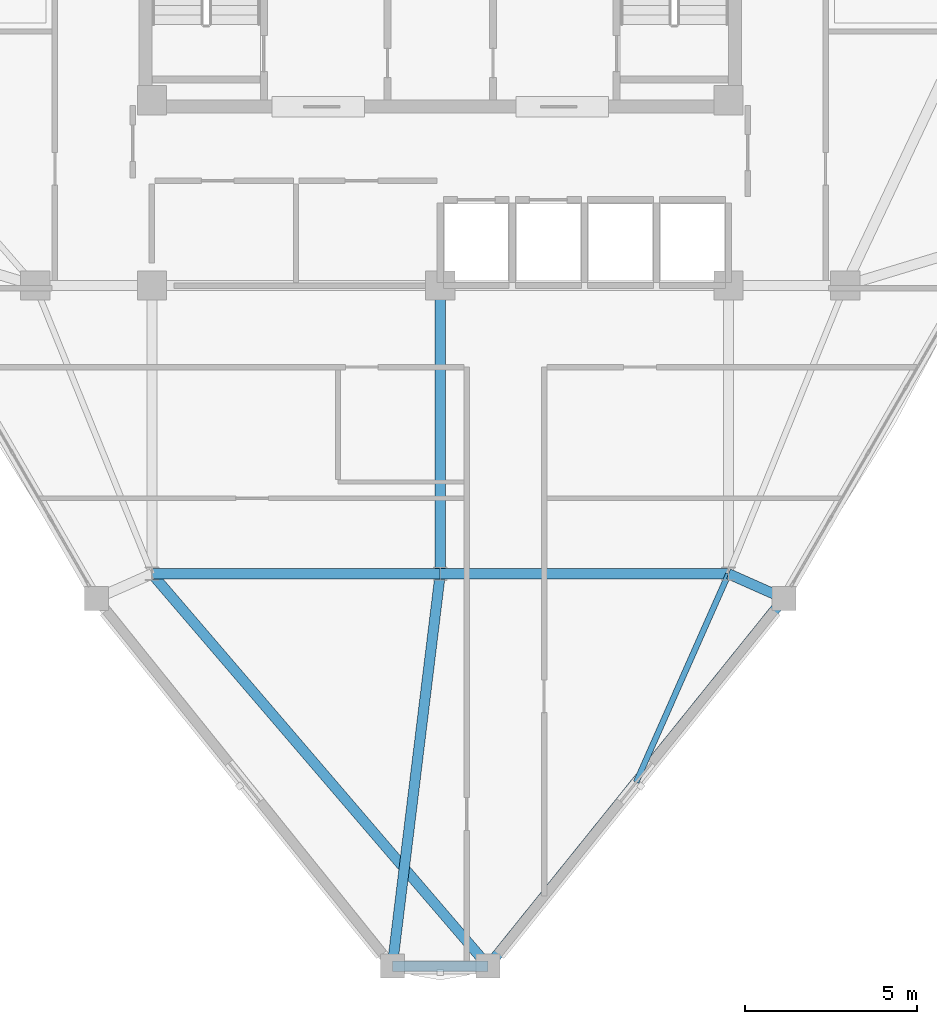
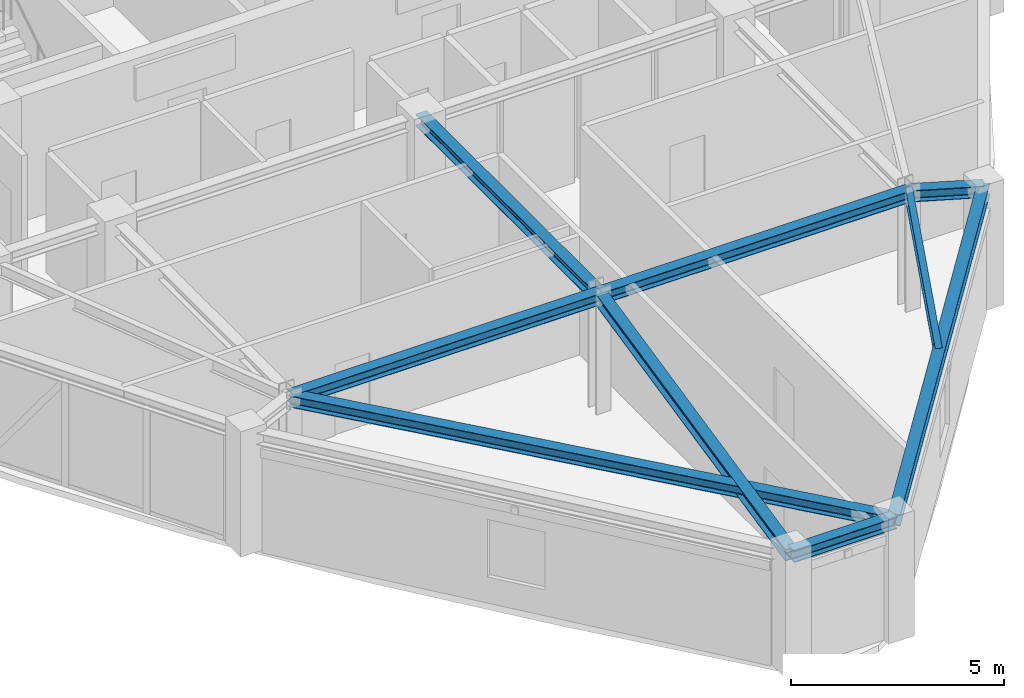
# One storey, part 3 of 15: 9 beams.
"""IFC4 building model written with IfcOpenShell, lengths in metres."""

from ifc_helpers import new_model, si_unit, derived_unit, direction, frame, origin, origin_2d, place, context, subcontext, project, spatial, i_section, extrude, source, transform, mapped, material, material_profile, profile_set, type_object, element, save


model = new_model("IFC4")

# Units and contexts
model_context = context("Model", 3, precision=1e-05, world=origin(), true_north=direction((0.0, 1.0)))
body_context = subcontext(model_context, "Body", "Model", "MODEL_VIEW")
ifc_project = project(units=[si_unit("LENGTHUNIT", "METRE"), si_unit("AREAUNIT", "SQUARE_METRE"), si_unit("VOLUMEUNIT", "CUBIC_METRE"), si_unit("PLANEANGLEUNIT", "RADIAN"), si_unit("MASSUNIT", "GRAM", prefix="KILO"), derived_unit("THERMALTRANSMITTANCEUNIT", [(si_unit("POWERUNIT", "WATT"), 1), (si_unit("LENGTHUNIT", "METRE"), -2), (si_unit("THERMODYNAMICTEMPERATUREUNIT", "KELVIN"), -1)])], contexts=[model_context])

# Site, building, storey
site_placement = place(None, origin())
site = spatial("IfcSite", under=ifc_project, at=site_placement, CompositionType="ELEMENT")
building_placement = place(site_placement, origin())
building = spatial("IfcBuilding", under=site, at=building_placement, Name="Korsvarv Bourse and Concert Hall", CompositionType="ELEMENT")
storey_placement = place(building_placement, frame((0.0, 0.0, 246.60009765625)))
storey = spatial("IfcBuildingStorey", under=building, at=storey_placement, Name="L64", CompositionType="ELEMENT", Elevation=246.60009765625)

# Beams
ifc_material = material(Name="Steel S355", Category="steel")
ifc_material_profile_1 = material_profile(ifc_material, i_section(OverallWidth=0.300048828125, OverallDepth=0.330078125, WebThickness=0.009521484375, FlangeThickness=0.0166015625, FilletRadius=0.02099609375, at=origin_2d()), Name="HEA 340")
ifc_profile_set_1 = profile_set([ifc_material_profile_1], Name="Steel S355")
beam_type_1 = type_object("IfcBeamType", Name="BM-HEA340", PredefinedType="BEAM", material=ifc_profile_set_1)
shared_shape_1 = source(origin(), body_context, "Body", "SweptSolid", [
    extrude(i_section(OverallWidth=0.300048828125, OverallDepth=0.330078125, WebThickness=0.009521484375, FlangeThickness=0.0166015625, FilletRadius=0.02099609375, at=origin_2d()), origin(), (0.0, 0.0, 1.0), 8.39990234375),
])
for number, where, z_axis, x_axis, name in (
    (1, (27.60009765625, 24.0, 3.244873046875), (1.0, 0.0, 0.0), (0.0, 1.0, 0.0), "L64 beam B-12"),
    (2, (36.0, 24.0, 3.244873046875), (1.0, 0.0, 0.0), (0.0, 1.0, 0.0), "L64 beam B-12"),
    (3, (36.0, 24.0, 3.244873046875), (0.0, 1.0, 0.0), (-1.0, 0.0, 0.0), "L64 beam B-12"),
):
    element("IfcBeam", number, at=place(storey_placement, frame(where, z_axis=z_axis, x_axis=x_axis)), inside=storey, type_object=beam_type_1, Name=name, PredefinedType="BEAM", context=body_context, shape_type="MappedRepresentation", body=[
        mapped(shared_shape_1, transform((0.0, 0.0, 0.0), scale=1.0)),
    ])
shared_shape_2 = source(origin(), body_context, "Body", "SweptSolid", [
    extrude(i_section(OverallWidth=0.300048828125, OverallDepth=0.330078125, WebThickness=0.009521484375, FlangeThickness=0.0166015625, FilletRadius=0.02099609375, at=origin_2d()), origin(), (0.0, 0.0, 1.0), 2.794921875),
])
beam_1_placement = place(storey_placement, frame((34.6025390625, 12.572265625, 3.244873046875), z_axis=(1.0, 0.0, 0.0), x_axis=(0.0, 1.0, 0.0)))
element("IfcBeam", 4, at=beam_1_placement, inside=storey, type_object=beam_type_1, Name="L64 beam B-12", PredefinedType="BEAM", context=body_context, shape_type="MappedRepresentation", body=[
    mapped(shared_shape_2, transform((0.0, 0.0, 0.0), scale=1.0)),
])
shared_shape_3 = source(origin(), body_context, "Body", "SweptSolid", [
    extrude(i_section(OverallWidth=0.300048828125, OverallDepth=0.330078125, WebThickness=0.009521484375, FlangeThickness=0.0166015625, FilletRadius=0.02099609375, at=origin_2d()), origin(), (0.0, 0.0, 1.0), 13.74853515625),
])
beam_2_placement = place(storey_placement, frame((37.3974609375, 12.572265625, 3.244873046875), z_axis=(0.626910047977, 0.77909164528, 0.0), x_axis=(-0.77909164528, 0.626910047977, 0.0)))
element("IfcBeam", 5, at=beam_2_placement, inside=storey, type_object=beam_type_1, Name="L64 beam B-12", PredefinedType="BEAM", context=body_context, shape_type="MappedRepresentation", body=[
    mapped(shared_shape_3, transform((0.0, 0.0, 0.0), scale=1.0)),
])
shared_shape_4 = source(origin(), body_context, "Body", "SweptSolid", [
    extrude(i_section(OverallWidth=0.300048828125, OverallDepth=0.330078125, WebThickness=0.009521484375, FlangeThickness=0.0166015625, FilletRadius=0.02099609375, at=origin_2d()), origin(), (0.0, 0.0, 1.0), 1.768310546875),
])
beam_3_placement = place(storey_placement, frame((46.0166015625, 23.28369140625, 3.244873046875), z_axis=(-0.914277809645, 0.405087751963, 0.0), x_axis=(-0.405087751963, -0.914277809645, 0.0)))
element("IfcBeam", 6, at=beam_3_placement, inside=storey, type_object=beam_type_1, Name="L64 beam B-12", PredefinedType="BEAM", context=body_context, shape_type="MappedRepresentation", body=[
    mapped(shared_shape_4, transform((0.0, 0.0, 0.0), scale=1.0)),
])
shared_shape_5 = source(origin(), body_context, "Body", "SweptSolid", [
    extrude(i_section(OverallWidth=0.300048828125, OverallDepth=0.330078125, WebThickness=0.009521484375, FlangeThickness=0.0166015625, FilletRadius=0.02099609375, at=origin_2d()), origin(), (0.0, 0.0, 1.0), 11.512939453125),
])
beam_4_placement = place(storey_placement, frame((34.6025390625, 12.572265625, 3.244873046875), z_axis=(0.121382575377, 0.992605798086, 0.0), x_axis=(-0.992605798086, 0.121382575377, 0.0)))
element("IfcBeam", 7, at=beam_4_placement, inside=storey, type_object=beam_type_1, Name="L64 beam B-12", PredefinedType="BEAM", context=body_context, shape_type="MappedRepresentation", body=[
    mapped(shared_shape_5, transform((0.0, 0.0, 0.0), scale=1.0)),
])
shared_shape_6 = source(origin(), body_context, "Body", "SweptSolid", [
    extrude(i_section(OverallWidth=0.300048828125, OverallDepth=0.330078125, WebThickness=0.009521484375, FlangeThickness=0.0166015625, FilletRadius=0.02099609375, at=origin_2d()), origin(), (0.0, 0.0, 1.0), 15.052734375),
])
beam_5_placement = place(storey_placement, frame((37.3974609375, 12.572265625, 3.244873046875), z_axis=(-0.650874182618, 0.75918561525, 0.0), x_axis=(-0.75918561525, -0.650874182618, 0.0)))
element("IfcBeam", 8, at=beam_5_placement, inside=storey, type_object=beam_type_1, Name="L64 beam B-12", PredefinedType="BEAM", context=body_context, shape_type="MappedRepresentation", body=[
    mapped(shared_shape_6, transform((0.0, 0.0, 0.0), scale=1.0)),
])
ifc_material_profile_2 = material_profile(ifc_material, i_section(OverallWidth=0.169921875, OverallDepth=0.360107421875, WebThickness=0.008056640625, FlangeThickness=0.0126953125, FilletRadius=0.01806640625, at=origin_2d()), Name="IPE 360")
ifc_profile_set_2 = profile_set([ifc_material_profile_2], Name="Steel S355")
beam_type_2 = type_object("IfcBeamType", Name="BM-IPE360", PredefinedType="JOIST", material=ifc_profile_set_2)
shared_shape_7 = source(origin(), body_context, "Body", "SweptSolid", [
    extrude(i_section(OverallWidth=0.169921875, OverallDepth=0.360107421875, WebThickness=0.008056640625, FlangeThickness=0.0126953125, FilletRadius=0.01806640625, at=origin_2d()), origin(), (0.0, 0.0, 1.0), 6.642578125),
])
beam_6_placement = place(storey_placement, frame((41.706787109375, 17.927978515625, 3.22998046875), z_axis=(0.405439253251, 0.914121989629, 0.0), x_axis=(-0.914121989629, 0.405439253251, 0.0)))
element("IfcBeam", 9, at=beam_6_placement, inside=storey, type_object=beam_type_2, Name="L64 beam J-06", PredefinedType="JOIST", context=body_context, shape_type="MappedRepresentation", body=[
    mapped(shared_shape_7, transform((0.0, 0.0, 0.0), scale=1.0)),
])

save(model, "model.ifc")
